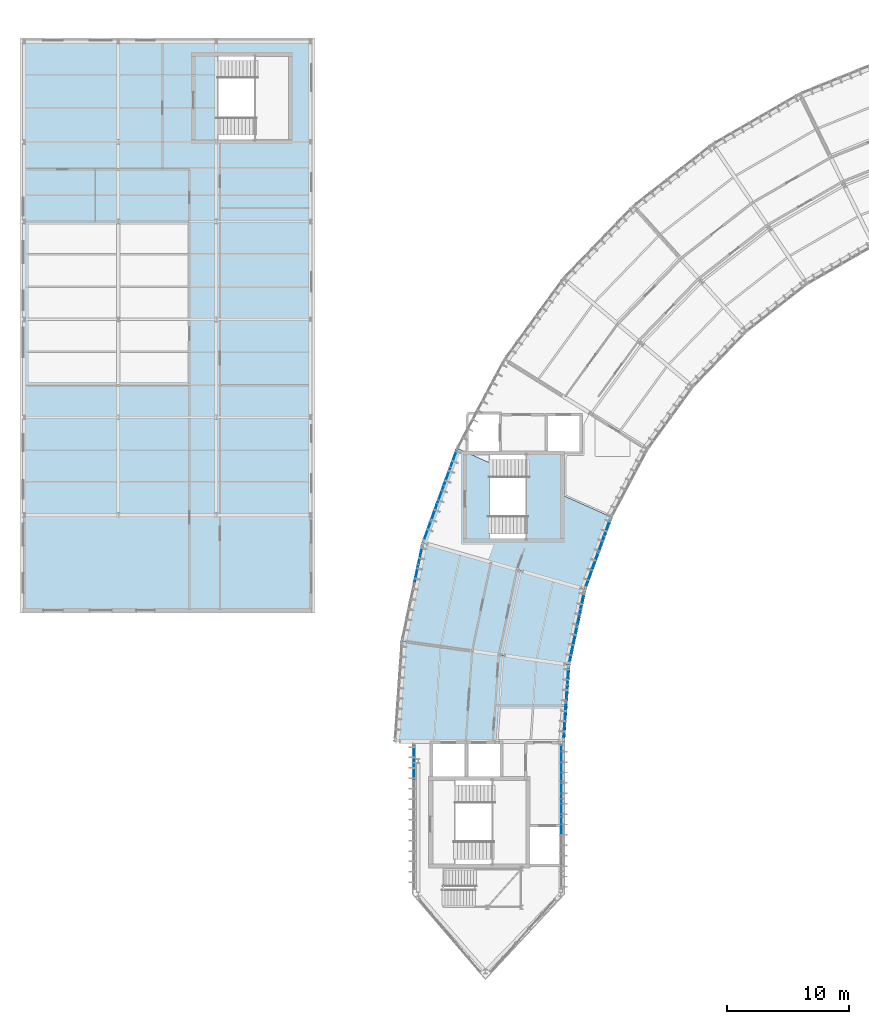
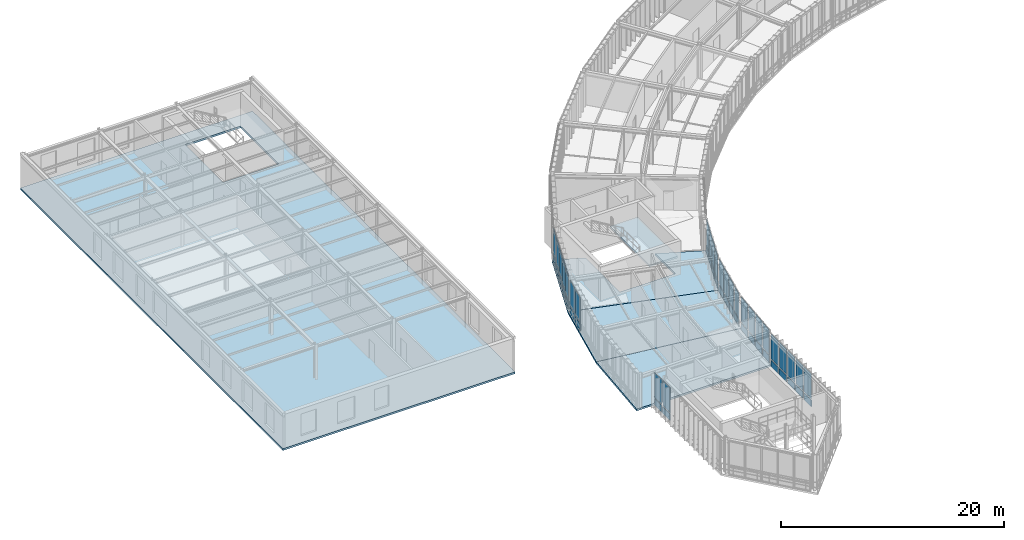
# One storey, part 19 of 41: 52 plates, 5 slabs, 8 elements without a shape of their own.
"""IFC4 building model written with IfcOpenShell, lengths in metres."""

from ifc_helpers import new_model, si_unit, direction, frame, origin, origin_2d, place, context, subcontext, project, spatial, polyline, rectangle, outline, extrude, material, layer, layer_set, type_object, element, aggregate, save


model = new_model("IFC4")

# Units and contexts
model_context = context("Model", 3, precision=1e-05, world=origin(), true_north=direction((0.0, 1.0)))
body_context = subcontext(model_context, "Body", "Model", "MODEL_VIEW")
ifc_project = project(units=[si_unit("LENGTHUNIT", "METRE"), si_unit("AREAUNIT", "SQUARE_METRE"), si_unit("VOLUMEUNIT", "CUBIC_METRE"), si_unit("PLANEANGLEUNIT", "RADIAN"), si_unit("MASSUNIT", "GRAM", prefix="KILO"), si_unit("THERMODYNAMICTEMPERATUREUNIT", "KELVIN"), si_unit("POWERUNIT", "WATT")], contexts=[model_context])

# Site, building, storey
site_placement = place(None, origin())
site = spatial("IfcSite", under=ifc_project, at=site_placement, CompositionType="ELEMENT")
building_placement = place(site_placement, origin())
building = spatial("IfcBuilding", under=site, at=building_placement, Name="Solvatero Civic Police Headquarters", CompositionType="ELEMENT")
storey_placement = place(building_placement, frame((0.0, 0.0, 17.699951171875)))
storey = spatial("IfcBuildingStorey", under=building, at=storey_placement, Name="L04", CompositionType="ELEMENT", Elevation=17.699951171875)

# Curtain wall, plates
ifc_material_1 = material(Name="Anodized Bronze Aluminium", Category="aluminium")
ifc_layer_1 = layer(ifc_material_1, 0.179931640625)
ifc_layer_set_1 = layer_set([ifc_layer_1], Name="Anodized Bronze Aluminium")
curtain_wall_type_1 = type_object("IfcCurtainWallType", Name="CW-ARC-OUT", PredefinedType="USERDEFINED", material=ifc_layer_set_1)
curtain_wall_1_placement = place(storey_placement, origin())
curtain_wall_1 = element("IfcCurtainWall", 1, at=curtain_wall_1_placement, inside=storey, type_object=curtain_wall_type_1, Name="Curtain Wall CW-R2-L04-ARC-OUT-B10", ObjectType="UNITISED", PredefinedType="USERDEFINED")
ifc_material_2 = material(Name="Triple Low-E Laminated Glass", Category="glass")
ifc_layer_2 = layer(ifc_material_2, 0.0380859375)
ifc_layer_set_2 = layer_set([ifc_layer_2], Name="Triple Low-E Laminated Glass")
plate_type_1 = type_object("IfcPlateType", Name="CWP-GLZ-38", PredefinedType="CURTAIN_PANEL", material=ifc_layer_set_2)
plate_1_placement = place(storey_placement, frame((39.919189453125, 49.148193359375, 0.91015625), z_axis=(0.0, 0.0, 1.0), x_axis=(-0.342020143326, -0.939692620786, 0.0)))
plate_1 = element("IfcPlate", 2, at=plate_1_placement, type_object=plate_type_1, Name="CW-R2-L04-ARC-OUT-B10 Vision Glazing 1", PredefinedType="CURTAIN_PANEL", context=body_context, shape_type="SweptSolid", body=[
    extrude(rectangle(XDim=1.40380859375, YDim=0.0380859375, at=origin_2d()), origin(), (0.0, 0.0, 1.0), 2.72998046875),
])
plate_2_placement = place(storey_placement, frame((38.835693359375, 46.171875, 0.91015625), z_axis=(0.0, 0.0, 1.0), x_axis=(-0.342020143326, -0.939692620786, 0.0)))
plate_2 = element("IfcPlate", 3, at=plate_2_placement, type_object=plate_type_1, Name="CW-R2-L04-ARC-OUT-B10 Vision Glazing 3", PredefinedType="CURTAIN_PANEL", context=body_context, shape_type="SweptSolid", body=[
    extrude(rectangle(XDim=1.40380859375, YDim=0.0380859375, at=origin_2d()), origin(), (0.0, 0.0, 1.0), 2.72998046875),
])
plate_3_placement = place(storey_placement, frame((37.75244140625, 43.1953125, 0.91015625), z_axis=(0.0, 0.0, 1.0), x_axis=(-0.342020143326, -0.939692620786, 0.0)))
plate_3 = element("IfcPlate", 4, at=plate_3_placement, type_object=plate_type_1, Name="CW-R2-L04-ARC-OUT-B10 Vision Glazing 5", PredefinedType="CURTAIN_PANEL", context=body_context, shape_type="SweptSolid", body=[
    extrude(rectangle(XDim=1.40380859375, YDim=0.0380859375, at=origin_2d()), origin(), (0.0, 0.0, 1.0), 2.72998046875),
])

ifc_layer_3 = layer(ifc_material_1, 0.179931640625)
ifc_layer_set_3 = layer_set([ifc_layer_3], Name="Anodized Bronze Aluminium")
curtain_wall_type_2 = type_object("IfcCurtainWallType", Name="CW-ARC-IN", PredefinedType="USERDEFINED", material=ifc_layer_set_3)
curtain_wall_2_placement = place(storey_placement, origin())
curtain_wall_2 = element("IfcCurtainWall", 5, at=curtain_wall_2_placement, inside=storey, type_object=curtain_wall_type_2, Name="Curtain Wall CW-R2-L04-ARC-IN-B10", ObjectType="UNITISED", PredefinedType="USERDEFINED")
plate_4_placement = place(storey_placement, frame((51.9580078125, 42.091796875, 0.91015625), z_axis=(0.0, 0.0, 1.0), x_axis=(-0.342003742543, -0.93969859002, 0.0)))
plate_4 = element("IfcPlate", 6, at=plate_4_placement, type_object=plate_type_1, Name="CW-R2-L04-ARC-IN-B10 Vision Glazing 2", PredefinedType="CURTAIN_PANEL", context=body_context, shape_type="SweptSolid", body=[
    extrude(rectangle(XDim=1.294189453125, YDim=0.0380859375, at=origin_2d()), origin(), (0.0, 0.0, 1.0), 2.72998046875),
])
plate_5_placement = place(storey_placement, frame((50.94970703125, 39.3212890625, 0.91015625), z_axis=(0.0, 0.0, 1.0), x_axis=(-0.342003742543, -0.93969859002, 0.0)))
plate_5 = element("IfcPlate", 7, at=plate_5_placement, type_object=plate_type_1, Name="CW-R2-L04-ARC-IN-B10 Vision Glazing 4", PredefinedType="CURTAIN_PANEL", context=body_context, shape_type="SweptSolid", body=[
    extrude(rectangle(XDim=1.294189453125, YDim=0.0380859375, at=origin_2d()), origin(), (0.0, 0.0, 1.0), 2.72998046875),
])

# Curtain wall, plate
curtain_wall_3_placement = place(storey_placement, origin())
curtain_wall_3 = element("IfcCurtainWall", 8, at=curtain_wall_3_placement, inside=storey, type_object=curtain_wall_type_1, Name="Curtain Wall CW-R2-L04-ARC-OUT-B11", ObjectType="UNITISED", PredefinedType="USERDEFINED")
plate_6_placement = place(storey_placement, frame((37.190673828125, 41.240478515625, 0.91015625), z_axis=(0.0, 0.0, 1.0), x_axis=(-0.207911690818, -0.978147600734, 0.0)))
plate_6 = element("IfcPlate", 9, at=plate_6_placement, type_object=plate_type_1, Name="CW-R2-L04-ARC-OUT-B11 Vision Glazing 1", PredefinedType="CURTAIN_PANEL", context=body_context, shape_type="SweptSolid", body=[
    extrude(rectangle(XDim=1.37060546875, YDim=0.0380859375, at=origin_2d()), origin(), (0.0, 0.0, 1.0), 2.72998046875),
])

# Curtain wall, plates
curtain_wall_4_placement = place(storey_placement, origin())
curtain_wall_4 = element("IfcCurtainWall", 10, at=curtain_wall_4_placement, inside=storey, type_object=curtain_wall_type_2, Name="Curtain Wall CW-R2-L04-ARC-IN-B11", ObjectType="UNITISED", PredefinedType="USERDEFINED")
plate_7_placement = place(storey_placement, frame((50.125732421875, 36.07421875, 0.91015625), z_axis=(0.0, 0.0, 1.0), x_axis=(-0.207911690818, -0.978147600734, 0.0)))
plate_7 = element("IfcPlate", 11, at=plate_7_placement, type_object=plate_type_1, Name="CW-R2-L04-ARC-IN-B11 Vision Glazing 2", PredefinedType="CURTAIN_PANEL", context=body_context, shape_type="SweptSolid", body=[
    extrude(rectangle(XDim=1.294189453125, YDim=0.0380859375, at=origin_2d()), origin(), (0.0, 0.0, 1.0), 2.72998046875),
])
plate_8_placement = place(storey_placement, frame((49.5126953125, 33.190185546875, 0.91015625), z_axis=(0.0, 0.0, 1.0), x_axis=(-0.207911690818, -0.978147600734, 0.0)))
plate_8 = element("IfcPlate", 12, at=plate_8_placement, type_object=plate_type_1, Name="CW-R2-L04-ARC-IN-B11 Vision Glazing 4", PredefinedType="CURTAIN_PANEL", context=body_context, shape_type="SweptSolid", body=[
    extrude(rectangle(XDim=1.294189453125, YDim=0.0380859375, at=origin_2d()), origin(), (0.0, 0.0, 1.0), 2.72998046875),
])

curtain_wall_5_placement = place(storey_placement, origin())
curtain_wall_5 = element("IfcCurtainWall", 13, at=curtain_wall_5_placement, inside=storey, type_object=curtain_wall_type_2, Name="Curtain Wall CW-R2-L04-ARC-IN-B12", ObjectType="UNITISED", PredefinedType="USERDEFINED")
plate_9_placement = place(storey_placement, frame((49.1513671875, 29.880126953125, 0.91015625), z_axis=(0.0, 0.0, 1.0), x_axis=(-0.069773884511, -0.997562832628, 0.0)))
plate_9 = element("IfcPlate", 14, at=plate_9_placement, type_object=plate_type_1, Name="CW-R2-L04-ARC-IN-B12 Vision Glazing 2", PredefinedType="CURTAIN_PANEL", context=body_context, shape_type="SweptSolid", body=[
    extrude(rectangle(XDim=1.294189453125, YDim=0.0380859375, at=origin_2d()), origin(), (0.0, 0.0, 1.0), 2.72998046875),
])
plate_10_placement = place(storey_placement, frame((48.94580078125, 26.938720703125, 0.91015625), z_axis=(0.0, 0.0, 1.0), x_axis=(-0.069773884511, -0.997562832628, 0.0)))
plate_10 = element("IfcPlate", 15, at=plate_10_placement, type_object=plate_type_1, Name="CW-R2-L04-ARC-IN-B12 Vision Glazing 4", PredefinedType="CURTAIN_PANEL", context=body_context, shape_type="SweptSolid", body=[
    extrude(rectangle(XDim=1.294189453125, YDim=0.0380859375, at=origin_2d()), origin(), (0.0, 0.0, 1.0), 2.72998046875),
])

# Curtain wall, plate
ifc_layer_4 = layer(ifc_material_1, 0.179931640625)
ifc_layer_set_4 = layer_set([ifc_layer_4], Name="Anodized Bronze Aluminium")
curtain_wall_type_3 = type_object("IfcCurtainWallType", Name="CW-PROW-GLZ", PredefinedType="USERDEFINED", material=ifc_layer_set_4)
curtain_wall_6_placement = place(storey_placement, origin())
curtain_wall_6 = element("IfcCurtainWall", 16, at=curtain_wall_6_placement, inside=storey, type_object=curtain_wall_type_3, Name="Curtain Wall CW-R2-L04-PROW-W", ObjectType="UNITISED", PredefinedType="USERDEFINED")
plate_11_placement = place(storey_placement, frame((36.679931640625, 25.00048828125, 0.91015625), z_axis=(0.0, 0.0, 1.0), x_axis=(0.0, -1.0, 0.0)))
plate_11 = element("IfcPlate", 17, at=plate_11_placement, type_object=plate_type_1, Name="CW-R2-L04-PROW-W Vision Glazing 1", PredefinedType="CURTAIN_PANEL", context=body_context, shape_type="SweptSolid", body=[
    extrude(rectangle(XDim=1.298583984375, YDim=0.0380859375, at=origin_2d()), origin(), (0.0, 0.0, 1.0), 2.72998046875),
])

# Curtain wall, plates
curtain_wall_7_placement = place(storey_placement, origin())
curtain_wall_7 = element("IfcCurtainWall", 18, at=curtain_wall_7_placement, inside=storey, type_object=curtain_wall_type_3, Name="Curtain Wall CW-R2-L04-PROW-E", ObjectType="UNITISED", PredefinedType="USERDEFINED")
plate_12_placement = place(storey_placement, frame((48.719970703125, 19.085693359375, 0.91015625), z_axis=(0.0, 0.0, 1.0), x_axis=(0.0, 1.0, 0.0)))
plate_12 = element("IfcPlate", 19, at=plate_12_placement, type_object=plate_type_1, Name="CW-R2-L04-PROW-E Vision Glazing 4", PredefinedType="CURTAIN_PANEL", context=body_context, shape_type="SweptSolid", body=[
    extrude(rectangle(XDim=1.298828125, YDim=0.0380859375, at=origin_2d()), origin(), (0.0, 0.0, 1.0), 2.72998046875),
])
plate_13_placement = place(storey_placement, frame((48.719970703125, 22.043212890625, 0.91015625), z_axis=(0.0, 0.0, 1.0), x_axis=(0.0, 1.0, 0.0)))
plate_13 = element("IfcPlate", 20, at=plate_13_placement, type_object=plate_type_1, Name="CW-R2-L04-PROW-E Vision Glazing 6", PredefinedType="CURTAIN_PANEL", context=body_context, shape_type="SweptSolid", body=[
    extrude(rectangle(XDim=1.298828125, YDim=0.0380859375, at=origin_2d()), origin(), (0.0, 0.0, 1.0), 2.72998046875),
])
plate_14_placement = place(storey_placement, frame((48.719970703125, 25.00048828125, 0.91015625), z_axis=(0.0, 0.0, 1.0), x_axis=(0.0, 1.0, 0.0)))
plate_14 = element("IfcPlate", 21, at=plate_14_placement, type_object=plate_type_1, Name="CW-R2-L04-PROW-E Vision Glazing 8", PredefinedType="CURTAIN_PANEL", context=body_context, shape_type="SweptSolid", body=[
    extrude(rectangle(XDim=1.298828125, YDim=0.0380859375, at=origin_2d()), origin(), (0.0, 0.0, 1.0), 2.72998046875),
])

# Plate
ifc_material_3 = material(Name="Acoustic Ballistic Laminated Glass", Category="glass")
ifc_layer_5 = layer(ifc_material_3, 0.0439453125)
ifc_layer_set_5 = layer_set([ifc_layer_5], Name="Acoustic Ballistic Laminated Glass")
plate_type_2 = type_object("IfcPlateType", Name="CWP-GLZ-44", PredefinedType="CURTAIN_PANEL", material=ifc_layer_set_5)
plate_15_placement = place(storey_placement, frame((39.37744140625, 47.659912109375, 0.91015625), z_axis=(0.0, 0.0, 1.0), x_axis=(-0.342020143326, -0.939692620786, 0.0)))
plate_15 = element("IfcPlate", 22, at=plate_15_placement, type_object=plate_type_2, Name="CW-R2-L04-ARC-OUT-B10 Vision Glazing 2", PredefinedType="CURTAIN_PANEL", context=body_context, shape_type="SweptSolid", body=[
    extrude(rectangle(XDim=1.40380859375, YDim=0.0439453125, at=origin_2d()), origin(), (0.0, 0.0, 1.0), 2.72998046875),
])

plate_16_placement = place(storey_placement, frame((38.294189453125, 44.68359375, 0.91015625), z_axis=(0.0, 0.0, 1.0), x_axis=(-0.342020143326, -0.939692620786, 0.0)))
plate_16 = element("IfcPlate", 23, at=plate_16_placement, type_object=plate_type_2, Name="CW-R2-L04-ARC-OUT-B10 Vision Glazing 4", PredefinedType="CURTAIN_PANEL", context=body_context, shape_type="SweptSolid", body=[
    extrude(rectangle(XDim=1.40380859375, YDim=0.0439453125, at=origin_2d()), origin(), (0.0, 0.0, 1.0), 2.72998046875),
])

plate_17_placement = place(storey_placement, frame((52.46240234375, 43.47705078125, 0.91015625), z_axis=(0.0, 0.0, 1.0), x_axis=(-0.342003742543, -0.93969859002, 0.0)))
plate_17 = element("IfcPlate", 24, at=plate_17_placement, type_object=plate_type_2, Name="CW-R2-L04-ARC-IN-B10 Vision Glazing 1", PredefinedType="CURTAIN_PANEL", context=body_context, shape_type="SweptSolid", body=[
    extrude(rectangle(XDim=1.294189453125, YDim=0.0439453125, at=origin_2d()), origin(), (0.0, 0.0, 1.0), 2.72998046875),
])

plate_18_placement = place(storey_placement, frame((51.453857421875, 40.70654296875, 0.91015625), z_axis=(0.0, 0.0, 1.0), x_axis=(-0.342003742543, -0.93969859002, 0.0)))
plate_18 = element("IfcPlate", 25, at=plate_18_placement, type_object=plate_type_2, Name="CW-R2-L04-ARC-IN-B10 Vision Glazing 3", PredefinedType="CURTAIN_PANEL", context=body_context, shape_type="SweptSolid", body=[
    extrude(rectangle(XDim=1.294189453125, YDim=0.0439453125, at=origin_2d()), origin(), (0.0, 0.0, 1.0), 2.72998046875),
])

plate_19_placement = place(storey_placement, frame((36.868408203125, 39.723876953125, 0.91015625), z_axis=(0.0, 0.0, 1.0), x_axis=(-0.207911690818, -0.978147600734, 0.0)))
plate_19 = element("IfcPlate", 26, at=plate_19_placement, type_object=plate_type_2, Name="CW-R2-L04-ARC-OUT-B11 Vision Glazing 2", PredefinedType="CURTAIN_PANEL", context=body_context, shape_type="SweptSolid", body=[
    extrude(rectangle(XDim=1.37060546875, YDim=0.0439453125, at=origin_2d()), origin(), (0.0, 0.0, 1.0), 2.72998046875),
])

plate_20_placement = place(storey_placement, frame((50.43212890625, 37.516357421875, 0.91015625), z_axis=(0.0, 0.0, 1.0), x_axis=(-0.207911690818, -0.978147600734, 0.0)))
plate_20 = element("IfcPlate", 27, at=plate_20_placement, type_object=plate_type_2, Name="CW-R2-L04-ARC-IN-B11 Vision Glazing 1", PredefinedType="CURTAIN_PANEL", context=body_context, shape_type="SweptSolid", body=[
    extrude(rectangle(XDim=1.294189453125, YDim=0.0439453125, at=origin_2d()), origin(), (0.0, 0.0, 1.0), 2.72998046875),
])

plate_21_placement = place(storey_placement, frame((49.819091796875, 34.632080078125, 0.91015625), z_axis=(0.0, 0.0, 1.0), x_axis=(-0.207911690818, -0.978147600734, 0.0)))
plate_21 = element("IfcPlate", 28, at=plate_21_placement, type_object=plate_type_2, Name="CW-R2-L04-ARC-IN-B11 Vision Glazing 3", PredefinedType="CURTAIN_PANEL", context=body_context, shape_type="SweptSolid", body=[
    extrude(rectangle(XDim=1.294189453125, YDim=0.0439453125, at=origin_2d()), origin(), (0.0, 0.0, 1.0), 2.72998046875),
])

plate_22_placement = place(storey_placement, frame((49.254150390625, 31.3505859375, 0.91015625), z_axis=(0.0, 0.0, 1.0), x_axis=(-0.069773884511, -0.997562832628, 0.0)))
plate_22 = element("IfcPlate", 29, at=plate_22_placement, type_object=plate_type_2, Name="CW-R2-L04-ARC-IN-B12 Vision Glazing 1", PredefinedType="CURTAIN_PANEL", context=body_context, shape_type="SweptSolid", body=[
    extrude(rectangle(XDim=1.294189453125, YDim=0.0439453125, at=origin_2d()), origin(), (0.0, 0.0, 1.0), 2.72998046875),
])

plate_23_placement = place(storey_placement, frame((49.048583984375, 28.409423828125, 0.91015625), z_axis=(0.0, 0.0, 1.0), x_axis=(-0.069773884511, -0.997562832628, 0.0)))
plate_23 = element("IfcPlate", 30, at=plate_23_placement, type_object=plate_type_2, Name="CW-R2-L04-ARC-IN-B12 Vision Glazing 3", PredefinedType="CURTAIN_PANEL", context=body_context, shape_type="SweptSolid", body=[
    extrude(rectangle(XDim=1.294189453125, YDim=0.0439453125, at=origin_2d()), origin(), (0.0, 0.0, 1.0), 2.72998046875),
])

plate_24_placement = place(storey_placement, frame((36.679931640625, 23.52197265625, 0.91015625), z_axis=(0.0, 0.0, 1.0), x_axis=(0.0, -1.0, 0.0)))
plate_24 = element("IfcPlate", 31, at=plate_24_placement, type_object=plate_type_2, Name="CW-R2-L04-PROW-W Vision Glazing 2", PredefinedType="CURTAIN_PANEL", context=body_context, shape_type="SweptSolid", body=[
    extrude(rectangle(XDim=1.298583984375, YDim=0.0439453125, at=origin_2d()), origin(), (0.0, 0.0, 1.0), 2.72998046875),
])

plate_25_placement = place(storey_placement, frame((48.719970703125, 20.564453125, 0.91015625), z_axis=(0.0, 0.0, 1.0), x_axis=(0.0, 1.0, 0.0)))
plate_25 = element("IfcPlate", 32, at=plate_25_placement, type_object=plate_type_2, Name="CW-R2-L04-PROW-E Vision Glazing 5", PredefinedType="CURTAIN_PANEL", context=body_context, shape_type="SweptSolid", body=[
    extrude(rectangle(XDim=1.298828125, YDim=0.0439453125, at=origin_2d()), origin(), (0.0, 0.0, 1.0), 2.72998046875),
])

plate_26_placement = place(storey_placement, frame((48.719970703125, 23.52197265625, 0.91015625), z_axis=(0.0, 0.0, 1.0), x_axis=(0.0, 1.0, 0.0)))
plate_26 = element("IfcPlate", 33, at=plate_26_placement, type_object=plate_type_2, Name="CW-R2-L04-PROW-E Vision Glazing 7", PredefinedType="CURTAIN_PANEL", context=body_context, shape_type="SweptSolid", body=[
    extrude(rectangle(XDim=1.298828125, YDim=0.0439453125, at=origin_2d()), origin(), (0.0, 0.0, 1.0), 2.72998046875),
])

ifc_material_4 = material(Name="Insulated Bronze Aluminium Spandrel", Category="aluminium")
ifc_layer_6 = layer(ifc_material_4, 0.06005859375)
ifc_layer_set_6 = layer_set([ifc_layer_6], Name="Insulated Bronze Aluminium Spandrel")
plate_type_3 = type_object("IfcPlateType", Name="CWP-SPN-60", PredefinedType="CURTAIN_PANEL", material=ifc_layer_set_6)
plate_27_placement = place(storey_placement, frame((39.919189453125, 49.148193359375, 0.06005859375), z_axis=(0.0, 0.0, 1.0), x_axis=(-0.342020143326, -0.939692620786, 0.0)))
plate_27 = element("IfcPlate", 34, at=plate_27_placement, type_object=plate_type_3, Name="CW-R2-L04-ARC-OUT-B10 Spandrel Panel 1", PredefinedType="CURTAIN_PANEL", context=body_context, shape_type="SweptSolid", body=[
    extrude(rectangle(XDim=1.40380859375, YDim=0.06005859375, at=origin_2d()), origin(), (0.0, 0.0, 1.0), 0.72998046875),
])

plate_28_placement = place(storey_placement, frame((38.835693359375, 46.171875, 0.06005859375), z_axis=(0.0, 0.0, 1.0), x_axis=(-0.342020143326, -0.939692620786, 0.0)))
plate_28 = element("IfcPlate", 35, at=plate_28_placement, type_object=plate_type_3, Name="CW-R2-L04-ARC-OUT-B10 Spandrel Panel 3", PredefinedType="CURTAIN_PANEL", context=body_context, shape_type="SweptSolid", body=[
    extrude(rectangle(XDim=1.40380859375, YDim=0.06005859375, at=origin_2d()), origin(), (0.0, 0.0, 1.0), 0.72998046875),
])

plate_29_placement = place(storey_placement, frame((37.75244140625, 43.1953125, 0.06005859375), z_axis=(0.0, 0.0, 1.0), x_axis=(-0.342020143326, -0.939692620786, 0.0)))
plate_29 = element("IfcPlate", 36, at=plate_29_placement, type_object=plate_type_3, Name="CW-R2-L04-ARC-OUT-B10 Spandrel Panel 5", PredefinedType="CURTAIN_PANEL", context=body_context, shape_type="SweptSolid", body=[
    extrude(rectangle(XDim=1.40380859375, YDim=0.06005859375, at=origin_2d()), origin(), (0.0, 0.0, 1.0), 0.72998046875),
])

plate_30_placement = place(storey_placement, frame((51.9580078125, 42.091796875, 0.06005859375), z_axis=(0.0, 0.0, 1.0), x_axis=(-0.342003742543, -0.93969859002, 0.0)))
plate_30 = element("IfcPlate", 37, at=plate_30_placement, type_object=plate_type_3, Name="CW-R2-L04-ARC-IN-B10 Spandrel Panel 2", PredefinedType="CURTAIN_PANEL", context=body_context, shape_type="SweptSolid", body=[
    extrude(rectangle(XDim=1.294189453125, YDim=0.06005859375, at=origin_2d()), origin(), (0.0, 0.0, 1.0), 0.72998046875),
])

plate_31_placement = place(storey_placement, frame((50.94970703125, 39.3212890625, 0.06005859375), z_axis=(0.0, 0.0, 1.0), x_axis=(-0.342003742543, -0.93969859002, 0.0)))
plate_31 = element("IfcPlate", 38, at=plate_31_placement, type_object=plate_type_3, Name="CW-R2-L04-ARC-IN-B10 Spandrel Panel 4", PredefinedType="CURTAIN_PANEL", context=body_context, shape_type="SweptSolid", body=[
    extrude(rectangle(XDim=1.294189453125, YDim=0.06005859375, at=origin_2d()), origin(), (0.0, 0.0, 1.0), 0.72998046875),
])

plate_32_placement = place(storey_placement, frame((37.190673828125, 41.240478515625, 0.06005859375), z_axis=(0.0, 0.0, 1.0), x_axis=(-0.207911690818, -0.978147600734, 0.0)))
plate_32 = element("IfcPlate", 39, at=plate_32_placement, type_object=plate_type_3, Name="CW-R2-L04-ARC-OUT-B11 Spandrel Panel 1", PredefinedType="CURTAIN_PANEL", context=body_context, shape_type="SweptSolid", body=[
    extrude(rectangle(XDim=1.37060546875, YDim=0.06005859375, at=origin_2d()), origin(), (0.0, 0.0, 1.0), 0.72998046875),
])

plate_33_placement = place(storey_placement, frame((50.125732421875, 36.07421875, 0.06005859375), z_axis=(0.0, 0.0, 1.0), x_axis=(-0.207911690818, -0.978147600734, 0.0)))
plate_33 = element("IfcPlate", 40, at=plate_33_placement, type_object=plate_type_3, Name="CW-R2-L04-ARC-IN-B11 Spandrel Panel 2", PredefinedType="CURTAIN_PANEL", context=body_context, shape_type="SweptSolid", body=[
    extrude(rectangle(XDim=1.294189453125, YDim=0.06005859375, at=origin_2d()), origin(), (0.0, 0.0, 1.0), 0.72998046875),
])

plate_34_placement = place(storey_placement, frame((49.5126953125, 33.190185546875, 0.06005859375), z_axis=(0.0, 0.0, 1.0), x_axis=(-0.207911690818, -0.978147600734, 0.0)))
plate_34 = element("IfcPlate", 41, at=plate_34_placement, type_object=plate_type_3, Name="CW-R2-L04-ARC-IN-B11 Spandrel Panel 4", PredefinedType="CURTAIN_PANEL", context=body_context, shape_type="SweptSolid", body=[
    extrude(rectangle(XDim=1.294189453125, YDim=0.06005859375, at=origin_2d()), origin(), (0.0, 0.0, 1.0), 0.72998046875),
])

plate_35_placement = place(storey_placement, frame((49.1513671875, 29.880126953125, 0.06005859375), z_axis=(0.0, 0.0, 1.0), x_axis=(-0.069773884511, -0.997562832628, 0.0)))
plate_35 = element("IfcPlate", 42, at=plate_35_placement, type_object=plate_type_3, Name="CW-R2-L04-ARC-IN-B12 Spandrel Panel 2", PredefinedType="CURTAIN_PANEL", context=body_context, shape_type="SweptSolid", body=[
    extrude(rectangle(XDim=1.294189453125, YDim=0.06005859375, at=origin_2d()), origin(), (0.0, 0.0, 1.0), 0.72998046875),
])

plate_36_placement = place(storey_placement, frame((48.94580078125, 26.938720703125, 0.06005859375), z_axis=(0.0, 0.0, 1.0), x_axis=(-0.069773884511, -0.997562832628, 0.0)))
plate_36 = element("IfcPlate", 43, at=plate_36_placement, type_object=plate_type_3, Name="CW-R2-L04-ARC-IN-B12 Spandrel Panel 4", PredefinedType="CURTAIN_PANEL", context=body_context, shape_type="SweptSolid", body=[
    extrude(rectangle(XDim=1.294189453125, YDim=0.06005859375, at=origin_2d()), origin(), (0.0, 0.0, 1.0), 0.72998046875),
])

plate_37_placement = place(storey_placement, frame((36.679931640625, 25.00048828125, 0.06005859375), z_axis=(0.0, 0.0, 1.0), x_axis=(0.0, -1.0, 0.0)))
plate_37 = element("IfcPlate", 44, at=plate_37_placement, type_object=plate_type_3, Name="CW-R2-L04-PROW-W Spandrel Panel 1", PredefinedType="CURTAIN_PANEL", context=body_context, shape_type="SweptSolid", body=[
    extrude(rectangle(XDim=1.298583984375, YDim=0.06005859375, at=origin_2d()), origin(), (0.0, 0.0, 1.0), 0.72998046875),
])

plate_38_placement = place(storey_placement, frame((48.719970703125, 19.085693359375, 0.06005859375), z_axis=(0.0, 0.0, 1.0), x_axis=(0.0, 1.0, 0.0)))
plate_38 = element("IfcPlate", 45, at=plate_38_placement, type_object=plate_type_3, Name="CW-R2-L04-PROW-E Spandrel Panel 4", PredefinedType="CURTAIN_PANEL", context=body_context, shape_type="SweptSolid", body=[
    extrude(rectangle(XDim=1.298828125, YDim=0.06005859375, at=origin_2d()), origin(), (0.0, 0.0, 1.0), 0.72998046875),
])

plate_39_placement = place(storey_placement, frame((48.719970703125, 22.043212890625, 0.06005859375), z_axis=(0.0, 0.0, 1.0), x_axis=(0.0, 1.0, 0.0)))
plate_39 = element("IfcPlate", 46, at=plate_39_placement, type_object=plate_type_3, Name="CW-R2-L04-PROW-E Spandrel Panel 6", PredefinedType="CURTAIN_PANEL", context=body_context, shape_type="SweptSolid", body=[
    extrude(rectangle(XDim=1.298828125, YDim=0.06005859375, at=origin_2d()), origin(), (0.0, 0.0, 1.0), 0.72998046875),
])

plate_40_placement = place(storey_placement, frame((48.719970703125, 25.00048828125, 0.06005859375), z_axis=(0.0, 0.0, 1.0), x_axis=(0.0, 1.0, 0.0)))
plate_40 = element("IfcPlate", 47, at=plate_40_placement, type_object=plate_type_3, Name="CW-R2-L04-PROW-E Spandrel Panel 8", PredefinedType="CURTAIN_PANEL", context=body_context, shape_type="SweptSolid", body=[
    extrude(rectangle(XDim=1.298828125, YDim=0.06005859375, at=origin_2d()), origin(), (0.0, 0.0, 1.0), 0.72998046875),
])

ifc_material_5 = material(Name="Limestone Veneer Spandrel Panel", Category="masonry")
ifc_layer_7 = layer(ifc_material_5, 0.074951171875)
ifc_layer_set_7 = layer_set([ifc_layer_7], Name="Limestone Veneer Spandrel Panel")
plate_type_4 = type_object("IfcPlateType", Name="CWP-SPN-75", PredefinedType="CURTAIN_PANEL", material=ifc_layer_set_7)
plate_41_placement = place(storey_placement, frame((39.37744140625, 47.659912109375, 0.06005859375), z_axis=(0.0, 0.0, 1.0), x_axis=(-0.342020143326, -0.939692620786, 0.0)))
plate_41 = element("IfcPlate", 48, at=plate_41_placement, type_object=plate_type_4, Name="CW-R2-L04-ARC-OUT-B10 Spandrel Panel 2", PredefinedType="CURTAIN_PANEL", context=body_context, shape_type="SweptSolid", body=[
    extrude(rectangle(XDim=1.40380859375, YDim=0.074951171875, at=origin_2d()), origin(), (0.0, 0.0, 1.0), 0.72998046875),
])

plate_42_placement = place(storey_placement, frame((38.294189453125, 44.68359375, 0.06005859375), z_axis=(0.0, 0.0, 1.0), x_axis=(-0.342020143326, -0.939692620786, 0.0)))
plate_42 = element("IfcPlate", 49, at=plate_42_placement, type_object=plate_type_4, Name="CW-R2-L04-ARC-OUT-B10 Spandrel Panel 4", PredefinedType="CURTAIN_PANEL", context=body_context, shape_type="SweptSolid", body=[
    extrude(rectangle(XDim=1.40380859375, YDim=0.074951171875, at=origin_2d()), origin(), (0.0, 0.0, 1.0), 0.72998046875),
])

aggregate(curtain_wall_1, [plate_27, plate_1, plate_41, plate_15, plate_28, plate_2, plate_42, plate_16, plate_29, plate_3])

plate_43_placement = place(storey_placement, frame((52.46240234375, 43.47705078125, 0.06005859375), z_axis=(0.0, 0.0, 1.0), x_axis=(-0.342003742543, -0.93969859002, 0.0)))
plate_43 = element("IfcPlate", 50, at=plate_43_placement, type_object=plate_type_4, Name="CW-R2-L04-ARC-IN-B10 Spandrel Panel 1", PredefinedType="CURTAIN_PANEL", context=body_context, shape_type="SweptSolid", body=[
    extrude(rectangle(XDim=1.294189453125, YDim=0.074951171875, at=origin_2d()), origin(), (0.0, 0.0, 1.0), 0.72998046875),
])

plate_44_placement = place(storey_placement, frame((51.453857421875, 40.70654296875, 0.06005859375), z_axis=(0.0, 0.0, 1.0), x_axis=(-0.342003742543, -0.93969859002, 0.0)))
plate_44 = element("IfcPlate", 51, at=plate_44_placement, type_object=plate_type_4, Name="CW-R2-L04-ARC-IN-B10 Spandrel Panel 3", PredefinedType="CURTAIN_PANEL", context=body_context, shape_type="SweptSolid", body=[
    extrude(rectangle(XDim=1.294189453125, YDim=0.074951171875, at=origin_2d()), origin(), (0.0, 0.0, 1.0), 0.72998046875),
])

aggregate(curtain_wall_2, [plate_43, plate_17, plate_30, plate_4, plate_44, plate_18, plate_31, plate_5])

plate_45_placement = place(storey_placement, frame((36.868408203125, 39.723876953125, 0.06005859375), z_axis=(0.0, 0.0, 1.0), x_axis=(-0.207911690818, -0.978147600734, 0.0)))
plate_45 = element("IfcPlate", 52, at=plate_45_placement, type_object=plate_type_4, Name="CW-R2-L04-ARC-OUT-B11 Spandrel Panel 2", PredefinedType="CURTAIN_PANEL", context=body_context, shape_type="SweptSolid", body=[
    extrude(rectangle(XDim=1.37060546875, YDim=0.074951171875, at=origin_2d()), origin(), (0.0, 0.0, 1.0), 0.72998046875),
])

aggregate(curtain_wall_3, [plate_32, plate_6, plate_45, plate_19])

plate_46_placement = place(storey_placement, frame((50.43212890625, 37.516357421875, 0.06005859375), z_axis=(0.0, 0.0, 1.0), x_axis=(-0.207911690818, -0.978147600734, 0.0)))
plate_46 = element("IfcPlate", 53, at=plate_46_placement, type_object=plate_type_4, Name="CW-R2-L04-ARC-IN-B11 Spandrel Panel 1", PredefinedType="CURTAIN_PANEL", context=body_context, shape_type="SweptSolid", body=[
    extrude(rectangle(XDim=1.294189453125, YDim=0.074951171875, at=origin_2d()), origin(), (0.0, 0.0, 1.0), 0.72998046875),
])

plate_47_placement = place(storey_placement, frame((49.819091796875, 34.632080078125, 0.06005859375), z_axis=(0.0, 0.0, 1.0), x_axis=(-0.207911690818, -0.978147600734, 0.0)))
plate_47 = element("IfcPlate", 54, at=plate_47_placement, type_object=plate_type_4, Name="CW-R2-L04-ARC-IN-B11 Spandrel Panel 3", PredefinedType="CURTAIN_PANEL", context=body_context, shape_type="SweptSolid", body=[
    extrude(rectangle(XDim=1.294189453125, YDim=0.074951171875, at=origin_2d()), origin(), (0.0, 0.0, 1.0), 0.72998046875),
])

aggregate(curtain_wall_4, [plate_46, plate_20, plate_33, plate_7, plate_47, plate_21, plate_34, plate_8])

plate_48_placement = place(storey_placement, frame((49.254150390625, 31.3505859375, 0.06005859375), z_axis=(0.0, 0.0, 1.0), x_axis=(-0.069773884511, -0.997562832628, 0.0)))
plate_48 = element("IfcPlate", 55, at=plate_48_placement, type_object=plate_type_4, Name="CW-R2-L04-ARC-IN-B12 Spandrel Panel 1", PredefinedType="CURTAIN_PANEL", context=body_context, shape_type="SweptSolid", body=[
    extrude(rectangle(XDim=1.294189453125, YDim=0.074951171875, at=origin_2d()), origin(), (0.0, 0.0, 1.0), 0.72998046875),
])

plate_49_placement = place(storey_placement, frame((49.048583984375, 28.409423828125, 0.06005859375), z_axis=(0.0, 0.0, 1.0), x_axis=(-0.069773884511, -0.997562832628, 0.0)))
plate_49 = element("IfcPlate", 56, at=plate_49_placement, type_object=plate_type_4, Name="CW-R2-L04-ARC-IN-B12 Spandrel Panel 3", PredefinedType="CURTAIN_PANEL", context=body_context, shape_type="SweptSolid", body=[
    extrude(rectangle(XDim=1.294189453125, YDim=0.074951171875, at=origin_2d()), origin(), (0.0, 0.0, 1.0), 0.72998046875),
])

aggregate(curtain_wall_5, [plate_48, plate_22, plate_35, plate_9, plate_49, plate_23, plate_36, plate_10])

plate_50_placement = place(storey_placement, frame((36.679931640625, 23.52197265625, 0.06005859375), z_axis=(0.0, 0.0, 1.0), x_axis=(0.0, -1.0, 0.0)))
plate_50 = element("IfcPlate", 57, at=plate_50_placement, type_object=plate_type_4, Name="CW-R2-L04-PROW-W Spandrel Panel 2", PredefinedType="CURTAIN_PANEL", context=body_context, shape_type="SweptSolid", body=[
    extrude(rectangle(XDim=1.298583984375, YDim=0.074951171875, at=origin_2d()), origin(), (0.0, 0.0, 1.0), 0.72998046875),
])

aggregate(curtain_wall_6, [plate_37, plate_11, plate_50, plate_24])

plate_51_placement = place(storey_placement, frame((48.719970703125, 20.564453125, 0.06005859375), z_axis=(0.0, 0.0, 1.0), x_axis=(0.0, 1.0, 0.0)))
plate_51 = element("IfcPlate", 58, at=plate_51_placement, type_object=plate_type_4, Name="CW-R2-L04-PROW-E Spandrel Panel 5", PredefinedType="CURTAIN_PANEL", context=body_context, shape_type="SweptSolid", body=[
    extrude(rectangle(XDim=1.298828125, YDim=0.074951171875, at=origin_2d()), origin(), (0.0, 0.0, 1.0), 0.72998046875),
])

plate_52_placement = place(storey_placement, frame((48.719970703125, 23.52197265625, 0.06005859375), z_axis=(0.0, 0.0, 1.0), x_axis=(0.0, 1.0, 0.0)))
plate_52 = element("IfcPlate", 59, at=plate_52_placement, type_object=plate_type_4, Name="CW-R2-L04-PROW-E Spandrel Panel 7", PredefinedType="CURTAIN_PANEL", context=body_context, shape_type="SweptSolid", body=[
    extrude(rectangle(XDim=1.298828125, YDim=0.074951171875, at=origin_2d()), origin(), (0.0, 0.0, 1.0), 0.72998046875),
])

aggregate(curtain_wall_7, [plate_38, plate_12, plate_51, plate_25, plate_39, plate_13, plate_52, plate_26, plate_40, plate_14])

# Slabs
ifc_material_6 = material(Name="Concrete C35/45", Category="concrete")
ifc_layer_8 = layer(ifc_material_6, 0.199951171875)
ifc_layer_set_8 = layer_set([ifc_layer_8], Name="Concrete C35/45")
slab_type_1 = type_object("IfcSlabType", Name="SLB-COMP-200", PredefinedType="FLOOR", material=ifc_layer_set_8)
slab_1_placement = place(storey_placement, frame((0.0, 0.0, -0.199951171875)))
element("IfcSlab", 60, at=slab_1_placement, inside=storey, type_object=slab_type_1, Name="L04 Operations Arc Floor Slab Bay 10", PredefinedType="FLOOR", context=body_context, shape_type="SweptSolid", body=[
    extrude(outline(polyline([(37.28564453125, 42.2626953125), (40.10009765625, 49.99560546875), (42.860107421875, 48.766845703125), (42.860107421875, 42.60009765625), (48.60009765625, 42.60009765625), (48.60009765625, 46.211181640625), (52.889892578125, 44.30126953125), (50.7431640625, 38.40380859375), (37.28564453125, 42.2626953125)])), origin(), (0.0, 0.0, 1.0), 0.199951171875),
])
slab_2_placement = place(storey_placement, frame((0.0, 0.0, -0.199951171875)))
element("IfcSlab", 61, at=slab_2_placement, inside=storey, type_object=slab_type_1, Name="L04 Operations Arc Floor Slab Bay 11", PredefinedType="FLOOR", context=body_context, shape_type="SweptSolid", body=[
    extrude(outline(polyline([(37.28515625, 42.260498046875), (50.742919921875, 38.401611328125), (49.43798828125, 32.2626953125), (35.57421875, 34.211181640625), (37.28515625, 42.260498046875)])), origin(), (0.0, 0.0, 1.0), 0.199951171875),
])
slab_3_placement = place(storey_placement, frame((0.0, 0.0, -0.199951171875)))
element("IfcSlab", 62, at=slab_3_placement, inside=storey, type_object=slab_type_1, Name="L04 Operations Arc Floor Slab Bay 12", PredefinedType="FLOOR", context=body_context, shape_type="SweptSolid", body=[
    extrude(outline(polyline([(35.57421875, 34.209228515625), (49.437744140625, 32.2607421875), (49.0, 26.001953125), (36.498046875, 26.001953125), (36.498046875, 26.0), (35.0, 26.0), (35.57421875, 34.209228515625)])), origin(), (0.0, 0.0, 1.0), 0.199951171875),
])
slab_4_placement = place(storey_placement, frame((0.0, 0.0, -0.199951171875)))
element("IfcSlab", 63, at=slab_4_placement, inside=storey, type_object=slab_type_1, Name="L04 Suspended floor slab SLB-L04-V6", PredefinedType="FLOOR", context=body_context, shape_type="SweptSolid", body=[
    extrude(outline(polyline([(4.5, 83.5), (28.5, 83.5), (28.5, 36.5), (4.5, 36.5), (4.5, 83.5)]), holes=[polyline([(26.39990234375, 82.0), (20.659912109375, 82.0), (20.659912109375, 75.199951171875), (26.39990234375, 75.199951171875), (26.39990234375, 82.0)])]), origin(), (0.0, 0.0, 1.0), 0.199951171875),
])

# Stair, slab
ifc_material_7 = material(Name="Precast concrete C40/50", Category="concrete")
stair_type = type_object("IfcStairType", Name="STR-C150-390", PredefinedType="HALF_TURN_STAIR", material=ifc_material_7)
stair_placement = place(storey_placement, origin())
stair = element("IfcStair", 64, at=stair_placement, inside=storey, type_object=stair_type, Name="Protected Exit Stair ST-C2 (L04 to L05)", PredefinedType="HALF_TURN_STAIR")
ifc_layer_9 = layer(ifc_material_7, 0.199951171875)
ifc_layer_set_9 = layer_set([ifc_layer_9], Name="Precast concrete C40/50")
slab_type_2 = type_object("IfcSlabType", Name="SLB-LND-200", PredefinedType="LANDING", material=ifc_layer_set_9)
slab_5_placement = place(storey_placement, frame((0.0, 0.0, 1.75)))
slab_5 = element("IfcSlab", 65, at=slab_5_placement, type_object=slab_type_2, Name="ST-C2 L04 Half-Landing", PredefinedType="LANDING", context=body_context, shape_type="SweptSolid", body=[
    extrude(outline(polyline([(45.840087890625, 42.449951171875), (48.75, 42.449951171875), (48.75, 49.550048828125), (45.840087890625, 49.550048828125), (45.840087890625, 42.449951171875)])), origin(), (0.0, 0.0, 1.0), 0.199951171875),
])
aggregate(stair, [slab_5])

save(model, "model.ifc")
